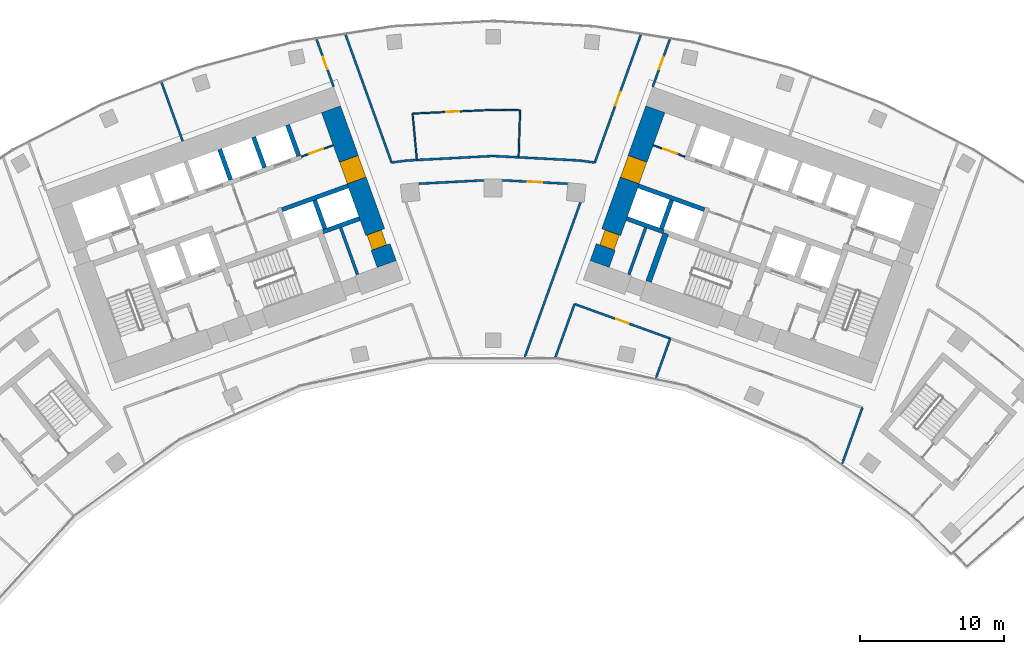
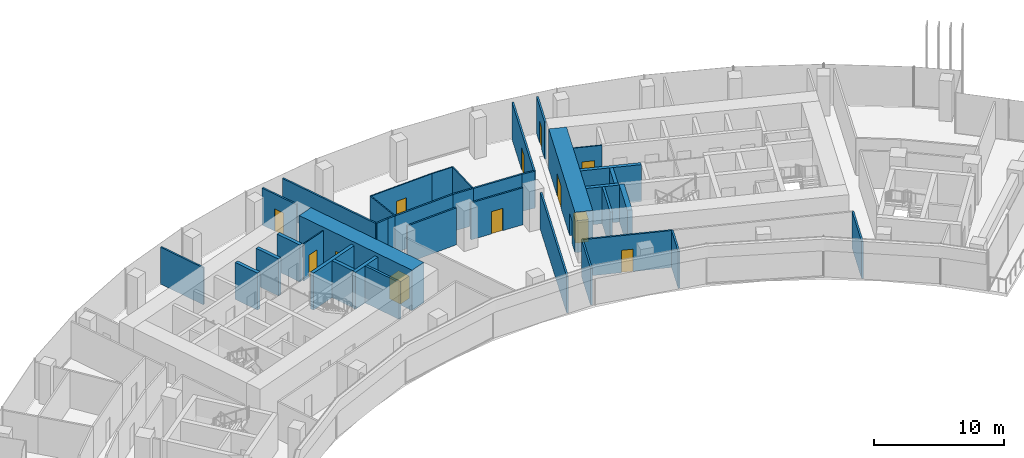
# One storey, part 15 of 20: 38 walls, 12 doors, 12 openings.
"""IFC4 building model written with IfcOpenShell, lengths in metres."""

from ifc_helpers import new_model, si_unit, direction, frame, frame_2d, origin, place, context, subcontext, project, spatial, rectangle, extrude, material, layer, layer_set, type_object, element, fill, save


model = new_model("IFC4")

# Units and contexts
model_context = context("Model", 3, precision=1e-05, world=origin(), true_north=direction((0.0, 1.0)))
body_context = subcontext(model_context, "Body", "Model", "MODEL_VIEW")
ifc_project = project(units=[si_unit("LENGTHUNIT", "METRE"), si_unit("AREAUNIT", "SQUARE_METRE"), si_unit("VOLUMEUNIT", "CUBIC_METRE"), si_unit("PLANEANGLEUNIT", "RADIAN"), si_unit("MASSUNIT", "GRAM", prefix="KILO")], contexts=[model_context])

# Site, building, storey
site_placement = place(None, origin())
site = spatial("IfcSite", under=ifc_project, at=site_placement, CompositionType="ELEMENT")
building_placement = place(site_placement, origin())
building = spatial("IfcBuilding", under=site, at=building_placement, Name="Stone Belt Terrace Tower", CompositionType="ELEMENT")
storey_placement = place(building_placement, frame((0.0, 0.0, 182.0)))
storey = spatial("IfcBuildingStorey", under=building, at=storey_placement, Name="L44", CompositionType="ELEMENT", Elevation=182.0)

# Wall, opening, door
ifc_material_1 = material(Name="Plasterboard partition")
ifc_layer_1 = layer(ifc_material_1, 0.10009765625)
ifc_layer_set_1 = layer_set([ifc_layer_1], Name="Core partition 100")
wall_type_1 = type_object("IfcWallType", Name="Core partition 100", PredefinedType="PARTITIONING", material=ifc_layer_set_1)
wall_1_placement = place(storey_placement, frame((-13.29638671875, 57.17529296875, 0.0), z_axis=(0.0, 0.0, 1.0), x_axis=(0.940904627055, 0.338671644496, 0.0)))
wall_1 = element("IfcWall", 1, at=wall_1_placement, inside=storey, type_object=wall_type_1, Name="Core A wall", PredefinedType="PARTITIONING", context=body_context, shape_type="SweptSolid", body=[
    extrude(rectangle(XDim=2.35009765625, YDim=0.10009765625, at=frame_2d((1.175048828125, 0.0))), origin(), (0.0, 0.0, 1.0), 3.47998046875),
])
opening_1_placement = place(wall_1_placement, frame((0.60009765625, 0.0, 0.0)))
opening_1 = element("IfcOpeningElement", 2, at=opening_1_placement, cuts=wall_1, Name="Opening L44-C01", PredefinedType="OPENING", context=body_context, shape_type="SweptSolid", body=[
    extrude(rectangle(XDim=1.0, YDim=2.10009765625, at=frame_2d((0.5, 1.050048828125))), frame((0.0, 0.06005859375, 0.0), z_axis=(0.0, -1.0, 0.0), x_axis=(1.0, 0.0, 0.0)), (0.0, 0.0, 1.0), 0.1201171875),
])
ifc_material_2 = material(Name="Timber door leaf", Category="wood")
door_type_1 = type_object("IfcDoorType", Name="Core room door 1000", OperationType="SINGLE_SWING_LEFT", PredefinedType="DOOR", material=ifc_material_2)
door_1_placement = place(opening_1_placement, origin())
door_1 = element("IfcDoor", 3, at=door_1_placement, inside=storey, type_object=door_type_1, Name="Door to Meeting store core A", OperationType="SINGLE_SWING_LEFT", OverallHeight=2.10009765625, OverallWidth=1.0, PredefinedType="DOOR", context=body_context, shape_type="SweptSolid", body=[
    extrude(rectangle(XDim=1.0, YDim=2.10009765625, at=frame_2d((0.5, 1.050048828125))), frame((0.0, 0.02490234375, 0.0), z_axis=(0.0, -1.0, 0.0), x_axis=(1.0, 0.0, 0.0)), (0.0, 0.0, 1.0), 0.050048828125),
])
fill(opening_1, door_1)

wall_2_placement = place(storey_placement, frame((13.29638671875, 57.17529296875, 0.0), z_axis=(0.0, 0.0, 1.0), x_axis=(-0.940904627055, 0.338671644496, 0.0)))
wall_2 = element("IfcWall", 4, at=wall_2_placement, inside=storey, type_object=wall_type_1, Name="Core B wall", PredefinedType="PARTITIONING", context=body_context, shape_type="SweptSolid", body=[
    extrude(rectangle(XDim=2.35009765625, YDim=0.10009765625, at=frame_2d((1.175048828125, 0.0))), origin(), (0.0, 0.0, 1.0), 3.47998046875),
])
opening_2_placement = place(wall_2_placement, frame((0.60009765625, 0.0, 0.0)))
opening_2 = element("IfcOpeningElement", 5, at=opening_2_placement, cuts=wall_2, Name="Opening L44-C15", PredefinedType="OPENING", context=body_context, shape_type="SweptSolid", body=[
    extrude(rectangle(XDim=1.0, YDim=2.10009765625, at=frame_2d((0.5, 1.050048828125))), frame((0.0, 0.06005859375, 0.0), z_axis=(0.0, -1.0, 0.0), x_axis=(1.0, 0.0, 0.0)), (0.0, 0.0, 1.0), 0.1201171875),
])
door_2_placement = place(opening_2_placement, origin())
door_2 = element("IfcDoor", 6, at=door_2_placement, inside=storey, type_object=door_type_1, Name="Door to Meeting store core B", OperationType="SINGLE_SWING_RIGHT", OverallHeight=2.10009765625, OverallWidth=1.0, PredefinedType="DOOR", context=body_context, shape_type="SweptSolid", body=[
    extrude(rectangle(XDim=1.0, YDim=2.10009765625, at=frame_2d((0.5, 1.050048828125))), frame((0.0, 0.02490234375, 0.0), z_axis=(0.0, -1.0, 0.0), x_axis=(1.0, 0.0, 0.0)), (0.0, 0.0, 1.0), 0.050048828125),
])
fill(opening_2, door_2)

# Wall, openings, doors
ifc_material_3 = material(Name="Concrete B80", Category="concrete")
ifc_layer_2 = layer(ifc_material_3, 1.39990234375)
ifc_layer_set_2 = layer_set([ifc_layer_2], Name="Core wall 1400 B80")
wall_type_2 = type_object("IfcWallType", Name="Core wall 1400 B80", PredefinedType="SHEAR", material=ifc_layer_set_2)
wall_3_placement = place(storey_placement, frame((-7.379150390625, 49.73974609375, 0.0), z_axis=(0.0, 0.0, 1.0), x_axis=(-0.338625431531, 0.940921259788, 0.0)))
wall_3 = element("IfcWall", 7, at=wall_3_placement, inside=storey, type_object=wall_type_2, Name="Core A wall end_b L44", PredefinedType="SHEAR", context=body_context, shape_type="SweptSolid", body=[
    extrude(rectangle(XDim=11.400146484375, YDim=1.39990234375, at=frame_2d((5.7001953125, 0.0))), origin(), (0.0, 0.0, 1.0), 3.800048828125),
])
opening_3_placement = place(wall_3_placement, frame((6.14990234375, 0.0, 0.0)))
opening_3 = element("IfcOpeningElement", 8, at=opening_3_placement, cuts=wall_3, Name="Opening L44-C07", PredefinedType="OPENING", context=body_context, shape_type="SweptSolid", body=[
    extrude(rectangle(XDim=1.60009765625, YDim=2.10009765625, at=frame_2d((0.800048828125, 1.050048828125))), frame((0.0, 0.7099609375, 0.0), z_axis=(0.0, -1.0, 0.0), x_axis=(1.0, 0.0, 0.0)), (0.0, 0.0, 1.0), 1.419921875),
])
opening_4_placement = place(wall_3_placement, frame((1.25, 0.0, 0.0)))
opening_4 = element("IfcOpeningElement", 9, at=opening_4_placement, cuts=wall_3, Name="Opening L44-C13", PredefinedType="OPENING", context=body_context, shape_type="SweptSolid", body=[
    extrude(rectangle(XDim=1.10009765625, YDim=2.10009765625, at=frame_2d((0.550048828125, 1.050048828125))), frame((0.0, 0.7099609375, 0.0), z_axis=(0.0, -1.0, 0.0), x_axis=(1.0, 0.0, 0.0)), (0.0, 0.0, 1.0), 1.419921875),
])
door_type_2 = type_object("IfcDoorType", Name="Core room door 1100", OperationType="SINGLE_SWING_LEFT", PredefinedType="DOOR", material=ifc_material_2)
door_3_placement = place(opening_4_placement, origin())
door_3 = element("IfcDoor", 10, at=door_3_placement, inside=storey, type_object=door_type_2, Name="Door to Cleaner's store core A", OperationType="SINGLE_SWING_RIGHT", OverallHeight=2.10009765625, OverallWidth=1.10009765625, PredefinedType="DOOR", context=body_context, shape_type="SweptSolid", body=[
    extrude(rectangle(XDim=1.10009765625, YDim=2.10009765625, at=frame_2d((0.550048828125, 1.050048828125))), frame((0.0, 0.60498046875, 0.0), z_axis=(0.0, -1.0, 0.0), x_axis=(1.0, 0.0, 0.0)), (0.0, 0.0, 1.0), 1.050048828125),
])
fill(opening_4, door_3)
ifc_material_4 = material(Name="Glazed aluminium door leaf", Category="aluminium")
door_type_3 = type_object("IfcDoorType", Name="Lift lobby entrance door 1600", OperationType="DOUBLE_DOOR_SINGLE_SWING", PredefinedType="DOOR", material=ifc_material_4)
door_4_placement = place(opening_3_placement, origin())
door_4 = element("IfcDoor", 11, at=door_4_placement, inside=storey, type_object=door_type_3, Name="Lift lobby entrance door core A", OperationType="DOUBLE_DOOR_SINGLE_SWING", OverallHeight=2.10009765625, OverallWidth=1.60009765625, PredefinedType="DOOR", context=body_context, shape_type="SweptSolid", body=[
    extrude(rectangle(XDim=1.60009765625, YDim=2.10009765625, at=frame_2d((0.800048828125, 1.050048828125))), frame((0.0, 0.68017578125, 0.0), z_axis=(0.0, -1.0, 0.0), x_axis=(1.0, 0.0, 0.0)), (0.0, 0.0, 1.0), 1.360107421875),
])
fill(opening_3, door_4)

wall_4_placement = place(storey_placement, frame((7.379150390625, 49.73974609375, 0.0), z_axis=(0.0, 0.0, 1.0), x_axis=(0.338625431531, 0.940921259788, 0.0)))
wall_4 = element("IfcWall", 12, at=wall_4_placement, inside=storey, type_object=wall_type_2, Name="Core B wall end_a L44", PredefinedType="SHEAR", context=body_context, shape_type="SweptSolid", body=[
    extrude(rectangle(XDim=11.400146484375, YDim=1.39990234375, at=frame_2d((5.7001953125, 0.0))), origin(), (0.0, 0.0, 1.0), 3.800048828125),
])
opening_5_placement = place(wall_4_placement, frame((6.14990234375, 0.0, 0.0)))
opening_5 = element("IfcOpeningElement", 13, at=opening_5_placement, cuts=wall_4, Name="Opening L44-C21", PredefinedType="OPENING", context=body_context, shape_type="SweptSolid", body=[
    extrude(rectangle(XDim=1.60009765625, YDim=2.10009765625, at=frame_2d((0.800048828125, 1.050048828125))), frame((0.0, 0.7099609375, 0.0), z_axis=(0.0, -1.0, 0.0), x_axis=(1.0, 0.0, 0.0)), (0.0, 0.0, 1.0), 1.419921875),
])
opening_6_placement = place(wall_4_placement, frame((1.25, 0.0, 0.0)))
opening_6 = element("IfcOpeningElement", 14, at=opening_6_placement, cuts=wall_4, Name="Opening L44-C27", PredefinedType="OPENING", context=body_context, shape_type="SweptSolid", body=[
    extrude(rectangle(XDim=1.10009765625, YDim=2.10009765625, at=frame_2d((0.550048828125, 1.050048828125))), frame((0.0, 0.7099609375, 0.0), z_axis=(0.0, -1.0, 0.0), x_axis=(1.0, 0.0, 0.0)), (0.0, 0.0, 1.0), 1.419921875),
])
door_5_placement = place(opening_6_placement, origin())
door_5 = element("IfcDoor", 15, at=door_5_placement, inside=storey, type_object=door_type_2, Name="Door to Cleaner's store core B", OperationType="SINGLE_SWING_LEFT", OverallHeight=2.10009765625, OverallWidth=1.10009765625, PredefinedType="DOOR", context=body_context, shape_type="SweptSolid", body=[
    extrude(rectangle(XDim=1.10009765625, YDim=2.10009765625, at=frame_2d((0.550048828125, 1.050048828125))), frame((0.0, 0.44482421875, 0.0), z_axis=(0.0, -1.0, 0.0), x_axis=(1.0, 0.0, 0.0)), (0.0, 0.0, 1.0), 1.050048828125),
])
fill(opening_6, door_5)
door_6_placement = place(opening_5_placement, origin())
door_6 = element("IfcDoor", 16, at=door_6_placement, inside=storey, type_object=door_type_3, Name="Lift lobby entrance door core B", OperationType="DOUBLE_DOOR_SINGLE_SWING", OverallHeight=2.10009765625, OverallWidth=1.60009765625, PredefinedType="DOOR", context=body_context, shape_type="SweptSolid", body=[
    extrude(rectangle(XDim=1.60009765625, YDim=2.10009765625, at=frame_2d((0.800048828125, 1.050048828125))), frame((0.0, 0.68017578125, 0.0), z_axis=(0.0, -1.0, 0.0), x_axis=(1.0, 0.0, 0.0)), (0.0, 0.0, 1.0), 1.360107421875),
])
fill(opening_5, door_6)

# Walls
ifc_layer_3 = layer(ifc_material_3, 0.300048828125)
ifc_layer_set_3 = layer_set([ifc_layer_3], Name="Lift shaft wall 300")
wall_type_3 = type_object("IfcWallType", Name="Lift shaft wall 300", PredefinedType="SHEAR", material=ifc_layer_set_3)
wall_5_placement = place(storey_placement, frame((-18.193115234375, 55.572509765625, 0.0), z_axis=(0.0, 0.0, 1.0), x_axis=(-0.338535034312, 0.940953787677, 0.0)))
element("IfcWall", 17, at=wall_5_placement, inside=storey, type_object=wall_type_3, Name="Core A wall", PredefinedType="SHEAR", context=body_context, shape_type="SweptSolid", body=[
    extrude(rectangle(XDim=2.25, YDim=0.300048828125, at=frame_2d((1.125, 0.0))), origin(), (0.0, 0.0, 1.0), 3.47998046875),
])
wall_6_placement = place(storey_placement, frame((-14.6328125, 53.506103515625, 0.0), z_axis=(0.0, 0.0, 1.0), x_axis=(0.940931684323, 0.338596464007, 0.0)))
element("IfcWall", 18, at=wall_6_placement, inside=storey, type_object=wall_type_3, Name="Core A wall", PredefinedType="SHEAR", context=body_context, shape_type="SweptSolid", body=[
    extrude(rectangle(XDim=4.849609375, YDim=0.300048828125, at=frame_2d((2.4248046875, 0.0))), origin(), (0.0, 0.0, 1.0), 3.47998046875),
])
wall_7_placement = place(storey_placement, frame((-15.8408203125, 56.419189453125, 0.0), z_axis=(0.0, 0.0, 1.0), x_axis=(-0.338569601369, 0.940941350472, 0.0)))
element("IfcWall", 19, at=wall_7_placement, inside=storey, type_object=wall_type_3, Name="Core A wall", PredefinedType="SHEAR", context=body_context, shape_type="SweptSolid", body=[
    extrude(rectangle(XDim=2.249755859375, YDim=0.300048828125, at=frame_2d((1.125, 0.0))), origin(), (0.0, 0.0, 1.0), 3.47998046875),
])
wall_8_placement = place(storey_placement, frame((-11.797119140625, 51.975830078125, 0.0), z_axis=(0.0, 0.0, 1.0), x_axis=(0.940910465161, 0.33865542451, 0.0)))
element("IfcWall", 20, at=wall_8_placement, inside=storey, type_object=wall_type_3, Name="Core A wall", PredefinedType="SHEAR", context=body_context, shape_type="SweptSolid", body=[
    extrude(rectangle(XDim=2.69970703125, YDim=0.300048828125, at=frame_2d((1.349853515625, 0.0))), origin(), (0.0, 0.0, 1.0), 3.47998046875),
])
wall_9_placement = place(storey_placement, frame((-11.659912109375, 52.184814453125, 0.0), z_axis=(0.0, 0.0, 1.0), x_axis=(-0.338670064856, 0.940905195634, 0.0)))
element("IfcWall", 21, at=wall_9_placement, inside=storey, type_object=wall_type_3, Name="Core A wall", PredefinedType="SHEAR", context=body_context, shape_type="SweptSolid", body=[
    extrude(rectangle(XDim=2.099853515625, YDim=0.300048828125, at=frame_2d((1.0498046875, 0.0))), origin(), (0.0, 0.0, 1.0), 3.47998046875),
])
wall_10_placement = place(storey_placement, frame((-13.471435546875, 57.218505859375, 0.0), z_axis=(0.0, 0.0, 1.0), x_axis=(-0.338587917, 0.940934759939, 0.0)))
element("IfcWall", 22, at=wall_10_placement, inside=storey, type_object=wall_type_3, Name="Core A wall", PredefinedType="SHEAR", context=body_context, shape_type="SweptSolid", body=[
    extrude(rectangle(XDim=2.300048828125, YDim=0.300048828125, at=frame_2d((1.14990234375, 0.0))), origin(), (0.0, 0.0, 1.0), 3.47998046875),
])
wall_11_placement = place(storey_placement, frame((14.6328125, 53.506103515625, 0.0), z_axis=(0.0, 0.0, 1.0), x_axis=(-0.940931684323, 0.338596464007, 0.0)))
element("IfcWall", 23, at=wall_11_placement, inside=storey, type_object=wall_type_3, Name="Core B wall", PredefinedType="SHEAR", context=body_context, shape_type="SweptSolid", body=[
    extrude(rectangle(XDim=4.849609375, YDim=0.300048828125, at=frame_2d((2.4248046875, 0.0))), origin(), (0.0, 0.0, 1.0), 3.47998046875),
])
wall_12_placement = place(storey_placement, frame((11.797119140625, 51.975830078125, 0.0), z_axis=(0.0, 0.0, 1.0), x_axis=(-0.940910465161, 0.33865542451, 0.0)))
element("IfcWall", 24, at=wall_12_placement, inside=storey, type_object=wall_type_3, Name="Core B wall", PredefinedType="SHEAR", context=body_context, shape_type="SweptSolid", body=[
    extrude(rectangle(XDim=2.69970703125, YDim=0.300048828125, at=frame_2d((1.349853515625, 0.0))), origin(), (0.0, 0.0, 1.0), 3.47998046875),
])
wall_13_placement = place(storey_placement, frame((11.659912109375, 52.184814453125, 0.0), z_axis=(0.0, 0.0, 1.0), x_axis=(0.338670064856, 0.940905195634, 0.0)))
element("IfcWall", 25, at=wall_13_placement, inside=storey, type_object=wall_type_3, Name="Core B wall", PredefinedType="SHEAR", context=body_context, shape_type="SweptSolid", body=[
    extrude(rectangle(XDim=2.099853515625, YDim=0.300048828125, at=frame_2d((1.0498046875, 0.0))), origin(), (0.0, 0.0, 1.0), 3.47998046875),
])
ifc_material_5 = material(Name="Gypsum board partition")
ifc_layer_4 = layer(ifc_material_5, 0.10009765625)
ifc_layer_set_4 = layer_set([ifc_layer_4], Name="PARTITION 100")
wall_type_4 = type_object("IfcWallType", Name="PARTITION 100", PredefinedType="PARTITIONING", material=ifc_layer_set_4)
wall_14_placement = place(storey_placement, frame((1.762939453125, 57.133056640625, 0.0), z_axis=(0.0, 0.0, 1.0), x_axis=(0.030961580112, 0.999520575354, 0.0)))
element("IfcWall", 26, at=wall_14_placement, inside=storey, type_object=wall_type_4, Name="L44/wall/i066", PredefinedType="PARTITIONING", context=body_context, shape_type="SweptSolid", body=[
    extrude(rectangle(XDim=3.264404296875, YDim=0.10009765625, at=frame_2d((1.63232421875, 0.0))), origin(), (0.0, 0.0, 1.0), 3.47998046875),
])
wall_15_placement = place(storey_placement, frame((1.864013671875, 60.39599609375, 0.0), z_axis=(0.0, 0.0, 1.0), x_axis=(-0.999878558611, 0.015584223769, 0.0)))
element("IfcWall", 27, at=wall_15_placement, inside=storey, type_object=wall_type_4, Name="L44/wall/i067", PredefinedType="PARTITIONING", context=body_context, shape_type="SweptSolid", body=[
    extrude(rectangle(XDim=1.8642578125, YDim=0.10009765625, at=frame_2d((0.93212890625, 0.0))), origin(), (0.0, 0.0, 1.0), 3.47998046875),
])

# Wall, opening, door
wall_16_placement = place(storey_placement, frame((0.0, 60.425048828125, 0.0), z_axis=(0.0, 0.0, 1.0), x_axis=(-0.998926532274, -0.046322598372, 0.0)))
wall_16 = element("IfcWall", 28, at=wall_16_placement, inside=storey, type_object=wall_type_4, Name="L44/wall/i068", PredefinedType="PARTITIONING", context=body_context, shape_type="SweptSolid", body=[
    extrude(rectangle(XDim=5.592041015625, YDim=0.10009765625, at=frame_2d((2.7958984375, 0.0))), origin(), (0.0, 0.0, 1.0), 3.47998046875),
])
opening_7_placement = place(wall_16_placement, frame((2.345947265625, 0.0, 0.0)))
opening_7 = element("IfcOpeningElement", 29, at=opening_7_placement, cuts=wall_16, Name="Opening D-C5-21", PredefinedType="OPENING", context=body_context, shape_type="SweptSolid", body=[
    extrude(rectangle(XDim=0.89990234375, YDim=2.10009765625, at=frame_2d((0.449951171875, 1.050048828125))), frame((0.0, 0.06005859375, 0.0), z_axis=(0.0, -1.0, 0.0), x_axis=(1.0, 0.0, 0.0)), (0.0, 0.0, 1.0), 0.1201171875),
])
door_type_4 = type_object("IfcDoorType", Name="OFFICE DOOR 900 X 2100", OperationType="NOTDEFINED", PredefinedType="DOOR", material=ifc_material_2)
door_7_placement = place(opening_7_placement, origin())
door_7 = element("IfcDoor", 30, at=door_7_placement, inside=storey, type_object=door_type_4, Name="L44/door/i21", OperationType="SINGLE_SWING_RIGHT", OverallHeight=2.10009765625, OverallWidth=0.89990234375, PredefinedType="DOOR", context=body_context, shape_type="SweptSolid", body=[
    extrude(rectangle(XDim=0.89990234375, YDim=2.10009765625, at=frame_2d((0.449951171875, 1.050048828125))), frame((0.0, 0.02490234375, 0.0), z_axis=(0.0, -1.0, 0.0), x_axis=(1.0, 0.0, 0.0)), (0.0, 0.0, 1.0), 0.050048828125),
])
fill(opening_7, door_7)

# Wall
wall_17_placement = place(storey_placement, frame((-5.5859375, 60.166015625, 0.0), z_axis=(0.0, 0.0, 1.0), x_axis=(0.092463130061, -0.995716108928, 0.0)))
element("IfcWall", 31, at=wall_17_placement, inside=storey, type_object=wall_type_4, Name="L44/wall/i069", PredefinedType="PARTITIONING", context=body_context, shape_type="SweptSolid", body=[
    extrude(rectangle(XDim=3.23193359375, YDim=0.10009765625, at=frame_2d((1.615966796875, 0.0))), origin(), (0.0, 0.0, 1.0), 3.47998046875),
])

# Wall, opening, door
ifc_layer_5 = layer(ifc_material_5, 0.14990234375)
ifc_layer_set_5 = layer_set([ifc_layer_5], Name="PARTITION 150 EI 60")
wall_type_5 = type_object("IfcWallType", Name="PARTITION 150 EI 60", PredefinedType="PARTITIONING", material=ifc_layer_set_5)
wall_18_placement = place(storey_placement, frame((-11.054931640625, 62.02099609375, 0.0), z_axis=(0.0, 0.0, 1.0), x_axis=(-0.338853532575, 0.94083913793, 0.0)))
wall_18 = element("IfcWall", 32, at=wall_18_placement, inside=storey, type_object=wall_type_5, Name="L44/wall/i008", PredefinedType="PARTITIONING", context=body_context, shape_type="SweptSolid", body=[
    extrude(rectangle(XDim=3.482177734375, YDim=0.14990234375, at=frame_2d((1.7412109375, 0.0))), origin(), (0.0, 0.0, 1.0), 3.47998046875),
])
opening_8_placement = place(wall_18_placement, frame((1.291015625, 0.0, 0.0)))
opening_8 = element("IfcOpeningElement", 33, at=opening_8_placement, cuts=wall_18, Name="Opening D-C5-04", PredefinedType="OPENING", context=body_context, shape_type="SweptSolid", body=[
    extrude(rectangle(XDim=0.89990234375, YDim=2.10009765625, at=frame_2d((0.449951171875, 1.050048828125))), frame((0.0, 0.0849609375, 0.0), z_axis=(0.0, -1.0, 0.0), x_axis=(1.0, 0.0, 0.0)), (0.0, 0.0, 1.0), 0.169921875),
])
door_8_placement = place(opening_8_placement, origin())
door_8 = element("IfcDoor", 34, at=door_8_placement, inside=storey, type_object=door_type_4, Name="L44/door/i04", OperationType="SINGLE_SWING_RIGHT", OverallHeight=2.10009765625, OverallWidth=0.89990234375, PredefinedType="DOOR", context=body_context, shape_type="SweptSolid", body=[
    extrude(rectangle(XDim=0.89990234375, YDim=2.10009765625, at=frame_2d((0.449951171875, 1.050048828125))), frame((0.0, 0.02490234375, 0.0), z_axis=(0.0, -1.0, 0.0), x_axis=(1.0, 0.0, 0.0)), (0.0, 0.0, 1.0), 0.050048828125),
])
fill(opening_8, door_8)

# Walls
wall_19_placement = place(storey_placement, frame((-10.223876953125, 65.6162109375, 0.0), z_axis=(0.0, 0.0, 1.0), x_axis=(0.338637655092, -0.940916860596, 0.0)))
element("IfcWall", 35, at=wall_19_placement, inside=storey, type_object=wall_type_5, Name="L44/wall/i010", PredefinedType="PARTITIONING", context=body_context, shape_type="SweptSolid", body=[
    extrude(rectangle(XDim=9.40478515625, YDim=0.14990234375, at=frame_2d((4.702392578125, 0.0))), origin(), (0.0, 0.0, 1.0), 3.47998046875),
])
wall_20_placement = place(storey_placement, frame((-22.978759765625, 62.31201171875, 0.0), z_axis=(0.0, 0.0, 1.0), x_axis=(0.338545023912, -0.940950193573, 0.0)))
element("IfcWall", 36, at=wall_20_placement, inside=storey, type_object=wall_type_5, Name="L44/wall/i015", PredefinedType="PARTITIONING", context=body_context, shape_type="SweptSolid", body=[
    extrude(rectangle(XDim=4.311767578125, YDim=0.14990234375, at=frame_2d((2.15576171875, 0.0))), origin(), (0.0, 0.0, 1.0), 3.47998046875),
])
wall_21_placement = place(storey_placement, frame((5.638916015625, 46.971923828125, 0.0), z_axis=(0.0, 0.0, 1.0), x_axis=(-0.338490436495, -0.940969831823, 0.0)))
element("IfcWall", 37, at=wall_21_placement, inside=storey, type_object=wall_type_5, Name="L44/wall/i016", PredefinedType="PARTITIONING", context=body_context, shape_type="SweptSolid", body=[
    extrude(rectangle(XDim=3.92578125, YDim=0.14990234375, at=frame_2d((1.962890625, 0.0))), origin(), (0.0, 0.0, 1.0), 3.47998046875),
])

# Wall, opening, door
wall_22_placement = place(storey_placement, frame((12.23486328125, 65.297119140625, 0.0), z_axis=(0.0, 0.0, 1.0), x_axis=(-0.338853532575, -0.94083913793, 0.0)))
wall_22 = element("IfcWall", 38, at=wall_22_placement, inside=storey, type_object=wall_type_5, Name="L44/wall/i017", PredefinedType="PARTITIONING", context=body_context, shape_type="SweptSolid", body=[
    extrude(rectangle(XDim=3.482177734375, YDim=0.14990234375, at=frame_2d((1.7412109375, 0.0))), origin(), (0.0, 0.0, 1.0), 3.47998046875),
])
opening_9_placement = place(wall_22_placement, frame((1.291015625, 0.0, 0.0)))
opening_9 = element("IfcOpeningElement", 39, at=opening_9_placement, cuts=wall_22, Name="Opening D-C5-07", PredefinedType="OPENING", context=body_context, shape_type="SweptSolid", body=[
    extrude(rectangle(XDim=0.89990234375, YDim=2.10009765625, at=frame_2d((0.449951171875, 1.050048828125))), frame((0.0, 0.0849609375, 0.0), z_axis=(0.0, -1.0, 0.0), x_axis=(1.0, 0.0, 0.0)), (0.0, 0.0, 1.0), 0.169921875),
])
door_9_placement = place(opening_9_placement, origin())
door_9 = element("IfcDoor", 40, at=door_9_placement, inside=storey, type_object=door_type_4, Name="L44/door/i07", OperationType="SINGLE_SWING_RIGHT", OverallHeight=2.10009765625, OverallWidth=0.89990234375, PredefinedType="DOOR", context=body_context, shape_type="SweptSolid", body=[
    extrude(rectangle(XDim=0.89990234375, YDim=2.10009765625, at=frame_2d((0.449951171875, 1.050048828125))), frame((0.0, 0.02490234375, 0.0), z_axis=(0.0, -1.0, 0.0), x_axis=(1.0, 0.0, 0.0)), (0.0, 0.0, 1.0), 0.050048828125),
])
fill(opening_9, door_9)

# Wall
wall_23_placement = place(storey_placement, frame((2.1787109375, 43.26171875, 0.0), z_axis=(0.0, 0.0, 1.0), x_axis=(0.338658916341, 0.940909208363, 0.0)))
element("IfcWall", 41, at=wall_23_placement, inside=storey, type_object=wall_type_5, Name="L44/wall/i018", PredefinedType="PARTITIONING", context=body_context, shape_type="SweptSolid", body=[
    extrude(rectangle(XDim=11.422119140625, YDim=0.14990234375, at=frame_2d((5.7109375, 0.0))), origin(), (0.0, 0.0, 1.0), 3.47998046875),
])

# Wall, opening, door
wall_24_placement = place(storey_placement, frame((7.0390625, 56.76708984375, 0.0), z_axis=(0.0, 0.0, 1.0), x_axis=(0.338637655092, 0.940916860596, 0.0)))
wall_24 = element("IfcWall", 42, at=wall_24_placement, inside=storey, type_object=wall_type_5, Name="L44/wall/i019", PredefinedType="PARTITIONING", context=body_context, shape_type="SweptSolid", body=[
    extrude(rectangle(XDim=9.40478515625, YDim=0.14990234375, at=frame_2d((4.702392578125, 0.0))), origin(), (0.0, 0.0, 1.0), 3.47998046875),
])
opening_10_placement = place(wall_24_placement, frame((4.202392578125, 0.0, 0.0)))
opening_10 = element("IfcOpeningElement", 43, at=opening_10_placement, cuts=wall_24, Name="Opening D-C5-20", PredefinedType="OPENING", context=body_context, shape_type="SweptSolid", body=[
    extrude(rectangle(XDim=1.0, YDim=2.10009765625, at=frame_2d((0.5, 1.050048828125))), frame((0.0, 0.0849609375, 0.0), z_axis=(0.0, -1.0, 0.0), x_axis=(1.0, 0.0, 0.0)), (0.0, 0.0, 1.0), 0.169921875),
])
ifc_material_6 = material(Name="Timber fire door leaf", Category="wood")
door_type_5 = type_object("IfcDoorType", Name="TENANCY ENTRANCE DOOR 1000 X 2100", OperationType="NOTDEFINED", PredefinedType="DOOR", material=ifc_material_6)
door_10_placement = place(opening_10_placement, origin())
door_10 = element("IfcDoor", 44, at=door_10_placement, inside=storey, type_object=door_type_5, Name="L44/door/i20", OperationType="SINGLE_SWING_RIGHT", OverallHeight=2.10009765625, OverallWidth=1.0, PredefinedType="DOOR", context=body_context, shape_type="SweptSolid", body=[
    extrude(rectangle(XDim=1.0, YDim=2.10009765625, at=frame_2d((0.5, 1.050048828125))), frame((0.0, 0.02490234375, 0.0), z_axis=(0.0, -1.0, 0.0), x_axis=(1.0, 0.0, 0.0)), (0.0, 0.0, 1.0), 0.050048828125),
])
fill(opening_10, door_10)

# Wall
wall_25_placement = place(storey_placement, frame((24.18603515625, 35.902099609375, 0.0), z_axis=(0.0, 0.0, 1.0), x_axis=(0.338545933013, 0.940949866486, 0.0)))
element("IfcWall", 45, at=wall_25_placement, inside=storey, type_object=wall_type_5, Name="L44/wall/i020", PredefinedType="PARTITIONING", context=body_context, shape_type="SweptSolid", body=[
    extrude(rectangle(XDim=4.135009765625, YDim=0.14990234375, at=frame_2d((2.0673828125, 0.0))), origin(), (0.0, 0.0, 1.0), 3.47998046875),
])

# Wall, opening, door
wall_26_placement = place(storey_placement, frame((12.27392578125, 44.576904296875, 0.0), z_axis=(0.0, 0.0, 1.0), x_axis=(-0.940894029898, 0.338701084296, 0.0)))
wall_26 = element("IfcWall", 46, at=wall_26_placement, inside=storey, type_object=wall_type_5, Name="L44/wall/i025", PredefinedType="PARTITIONING", context=body_context, shape_type="SweptSolid", body=[
    extrude(rectangle(XDim=7.053955078125, YDim=0.14990234375, at=frame_2d((3.52685546875, 0.0))), origin(), (0.0, 0.0, 1.0), 3.47998046875),
])
opening_11_placement = place(wall_26_placement, frame((3.076904296875, 0.0, 0.0)))
opening_11 = element("IfcOpeningElement", 47, at=opening_11_placement, cuts=wall_26, Name="Opening D-C5-05", PredefinedType="OPENING", context=body_context, shape_type="SweptSolid", body=[
    extrude(rectangle(XDim=0.89990234375, YDim=2.10009765625, at=frame_2d((0.449951171875, 1.050048828125))), frame((0.0, 0.0849609375, 0.0), z_axis=(0.0, -1.0, 0.0), x_axis=(1.0, 0.0, 0.0)), (0.0, 0.0, 1.0), 0.169921875),
])
door_11_placement = place(opening_11_placement, origin())
door_11 = element("IfcDoor", 48, at=door_11_placement, inside=storey, type_object=door_type_4, Name="L44/door/i05", OperationType="SINGLE_SWING_RIGHT", OverallHeight=2.10009765625, OverallWidth=0.89990234375, PredefinedType="DOOR", context=body_context, shape_type="SweptSolid", body=[
    extrude(rectangle(XDim=0.89990234375, YDim=2.10009765625, at=frame_2d((0.449951171875, 1.050048828125))), frame((0.0, 0.02490234375, 0.0), z_axis=(0.0, -1.0, 0.0), x_axis=(1.0, 0.0, 0.0)), (0.0, 0.0, 1.0), 0.050048828125),
])
fill(opening_11, door_11)

# Wall
wall_27_placement = place(storey_placement, frame((12.26806640625, 44.580078125, 0.0), z_axis=(0.0, 0.0, 1.0), x_axis=(-0.338574481555, -0.940939594469, 0.0)))
element("IfcWall", 49, at=wall_27_placement, inside=storey, type_object=wall_type_5, Name="L44/wall/i027", PredefinedType="PARTITIONING", context=body_context, shape_type="SweptSolid", body=[
    extrude(rectangle(XDim=2.921875, YDim=0.14990234375, at=frame_2d((1.4609375, 0.0))), origin(), (0.0, 0.0, 1.0), 3.47998046875),
])

# Wall, opening, door
wall_28_placement = place(storey_placement, frame((5.154296875, 55.30517578125, 0.0), z_axis=(0.0, 0.0, 1.0), x_axis=(-0.99863186448, 0.052291483489, 0.0)))
wall_28 = element("IfcWall", 50, at=wall_28_placement, inside=storey, type_object=wall_type_5, Name="L44/wall/i058", PredefinedType="PARTITIONING", context=body_context, shape_type="SweptSolid", body=[
    extrude(rectangle(XDim=4.50537109375, YDim=0.14990234375, at=frame_2d((2.252685546875, 0.0))), origin(), (0.0, 0.0, 1.0), 3.47998046875),
])
opening_12_placement = place(wall_28_placement, frame((1.752685546875, 0.0, 0.0)))
opening_12 = element("IfcOpeningElement", 51, at=opening_12_placement, cuts=wall_28, Name="Opening D-C5-19", PredefinedType="OPENING", context=body_context, shape_type="SweptSolid", body=[
    extrude(rectangle(XDim=1.0, YDim=2.10009765625, at=frame_2d((0.5, 1.050048828125))), frame((0.0, 0.0849609375, 0.0), z_axis=(0.0, -1.0, 0.0), x_axis=(1.0, 0.0, 0.0)), (0.0, 0.0, 1.0), 0.169921875),
])
door_12_placement = place(opening_12_placement, origin())
door_12 = element("IfcDoor", 52, at=door_12_placement, inside=storey, type_object=door_type_5, Name="L44/door/i19", OperationType="SINGLE_SWING_RIGHT", OverallHeight=2.10009765625, OverallWidth=1.0, PredefinedType="DOOR", context=body_context, shape_type="SweptSolid", body=[
    extrude(rectangle(XDim=1.0, YDim=2.10009765625, at=frame_2d((0.5, 1.050048828125))), frame((0.0, 0.02490234375, 0.0), z_axis=(0.0, -1.0, 0.0), x_axis=(1.0, 0.0, 0.0)), (0.0, 0.0, 1.0), 0.050048828125),
])
fill(opening_12, door_12)

# Walls
wall_29_placement = place(storey_placement, frame((-0.655029296875, 55.540771484375, 0.0), z_axis=(0.0, 0.0, 1.0), x_axis=(-0.99863186448, -0.052291483489, 0.0)))
element("IfcWall", 53, at=wall_29_placement, inside=storey, type_object=wall_type_5, Name="L44/wall/i059", PredefinedType="PARTITIONING", context=body_context, shape_type="SweptSolid", body=[
    extrude(rectangle(XDim=4.50537109375, YDim=0.14990234375, at=frame_2d((2.252685546875, 0.0))), origin(), (0.0, 0.0, 1.0), 3.47998046875),
])
wall_30_placement = place(storey_placement, frame((-7.041015625, 56.77294921875, 0.0), z_axis=(0.0, 0.0, 1.0), x_axis=(0.991477617634, 0.130277142013, 0.0)))
element("IfcWall", 54, at=wall_30_placement, inside=storey, type_object=wall_type_5, Name="L44/wall/i060", PredefinedType="PARTITIONING", context=body_context, shape_type="SweptSolid", body=[
    extrude(rectangle(XDim=1.068115234375, YDim=0.14990234375, at=frame_2d((0.5341796875, 0.0))), origin(), (0.0, 0.0, 1.0), 3.47998046875),
])
wall_31_placement = place(storey_placement, frame((-5.98193359375, 56.912109375, 0.0), z_axis=(0.0, 0.0, 1.0), x_axis=(0.998619750377, 0.052522320553, 0.0)))
element("IfcWall", 55, at=wall_31_placement, inside=storey, type_object=wall_type_5, Name="L44/wall/i061", PredefinedType="PARTITIONING", context=body_context, shape_type="SweptSolid", body=[
    extrude(rectangle(XDim=0.701904296875, YDim=0.14990234375, at=frame_2d((0.35107421875, 0.0))), origin(), (0.0, 0.0, 1.0), 3.47998046875),
])
wall_32_placement = place(storey_placement, frame((1.757080078125, 57.133056640625, 0.0), z_axis=(0.0, 0.0, 1.0), x_axis=(0.998635309304, -0.052225654719, 0.0)))
element("IfcWall", 56, at=wall_32_placement, inside=storey, type_object=wall_type_5, Name="L44/wall/i062", PredefinedType="PARTITIONING", context=body_context, shape_type="SweptSolid", body=[
    extrude(rectangle(XDim=4.230712890625, YDim=0.14990234375, at=frame_2d((2.115234375, 0.0))), origin(), (0.0, 0.0, 1.0), 3.47998046875),
])
wall_33_placement = place(storey_placement, frame((5.98193359375, 56.912109375, 0.0), z_axis=(0.0, 0.0, 1.0), x_axis=(0.991477617634, -0.130277142013, 0.0)))
element("IfcWall", 57, at=wall_33_placement, inside=storey, type_object=wall_type_5, Name="L44/wall/i063", PredefinedType="PARTITIONING", context=body_context, shape_type="SweptSolid", body=[
    extrude(rectangle(XDim=1.068115234375, YDim=0.14990234375, at=frame_2d((0.5341796875, 0.0))), origin(), (0.0, 0.0, 1.0), 3.47998046875),
])
wall_34_placement = place(storey_placement, frame((-5.29296875, 56.947998046875, 0.0), z_axis=(0.0, 0.0, 1.0), x_axis=(0.998632423706, 0.052280802625, 0.0)))
element("IfcWall", 58, at=wall_34_placement, inside=storey, type_object=wall_type_5, Name="L44/wall/i064", PredefinedType="PARTITIONING", context=body_context, shape_type="SweptSolid", body=[
    extrude(rectangle(XDim=5.30029296875, YDim=0.14990234375, at=frame_2d((2.650146484375, 0.0))), origin(), (0.0, 0.0, 1.0), 3.47998046875),
])
wall_35_placement = place(storey_placement, frame((0.0, 57.22509765625, 0.0), z_axis=(0.0, 0.0, 1.0), x_axis=(0.998620493014, -0.052508198708, 0.0)))
element("IfcWall", 59, at=wall_35_placement, inside=storey, type_object=wall_type_5, Name="L44/wall/i065", PredefinedType="PARTITIONING", context=body_context, shape_type="SweptSolid", body=[
    extrude(rectangle(XDim=1.771484375, YDim=0.14990234375, at=frame_2d((0.8857421875, 0.0))), origin(), (0.0, 0.0, 1.0), 3.47998046875),
])
ifc_material_7 = material(Name="Concrete masonry block", Category="masonry")
ifc_layer_6 = layer(ifc_material_7, 0.199951171875)
ifc_layer_set_6 = layer_set([ifc_layer_6], Name="Rated lobby wall 200")
wall_type_6 = type_object("IfcWallType", Name="Rated lobby wall 200", PredefinedType="PARTITIONING", material=ifc_layer_set_6)
for number, where, z_axis, x_axis, name in (
    (60, (-9.402099609375, 49.01171875, 0.0), (0.0, 0.0, 1.0), (-0.338599189079, 0.940930703695, 0.0), "Core A wall"),
    (61, (9.402099609375, 49.01171875, 0.0), (0.0, 0.0, 1.0), (0.338599189079, 0.940930703695, 0.0), "Core B wall"),
):
    element("IfcWall", number, at=place(storey_placement, frame(where, z_axis=z_axis, x_axis=x_axis)), inside=storey, type_object=wall_type_6, Name=name, PredefinedType="PARTITIONING", context=body_context, shape_type="SweptSolid", body=[
        extrude(rectangle(XDim=3.4501953125, YDim=0.199951171875, at=frame_2d((1.72509765625, 0.0))), origin(), (0.0, 0.0, 1.0), 3.47998046875),
    ])
ifc_layer_7 = layer(ifc_material_3, 0.39990234375)
ifc_layer_set_7 = layer_set([ifc_layer_7], Name="Stair enclosure wall 400")
wall_type_7 = type_object("IfcWallType", Name="Stair enclosure wall 400", PredefinedType="SHEAR", material=ifc_layer_set_7)
wall_36_placement = place(storey_placement, frame((10.766357421875, 48.520751953125, 0.0), z_axis=(0.0, 0.0, 1.0), x_axis=(0.338626928157, 0.94092072117, 0.0)))
element("IfcWall", 62, at=wall_36_placement, inside=storey, type_object=wall_type_7, Name="Core B wall", PredefinedType="SHEAR", context=body_context, shape_type="SweptSolid", body=[
    extrude(rectangle(XDim=3.550048828125, YDim=0.39990234375, at=frame_2d((1.77490234375, 0.0))), origin(), (0.0, 0.0, 1.0), 3.47998046875),
])

save(model, "model.ifc")
